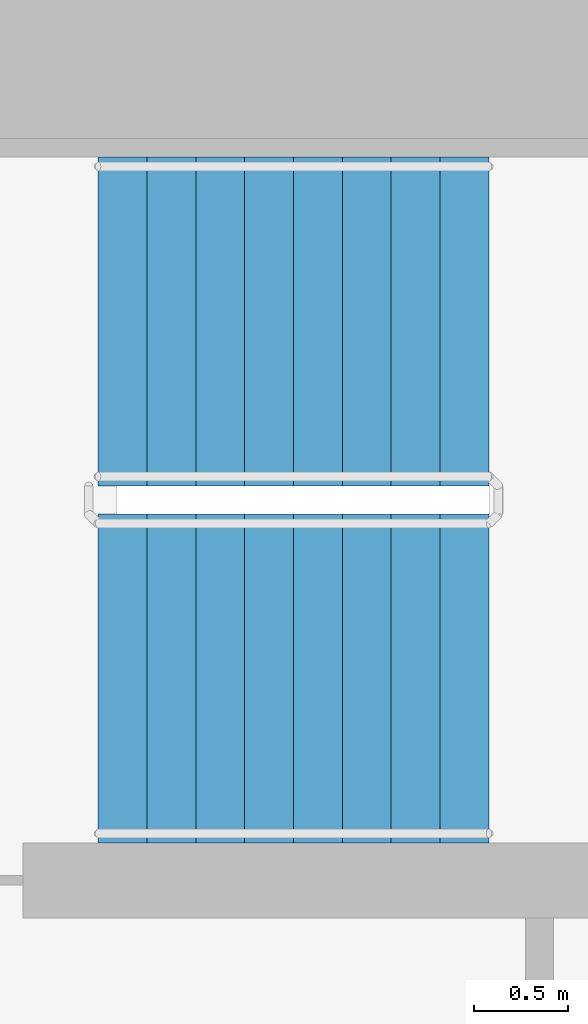
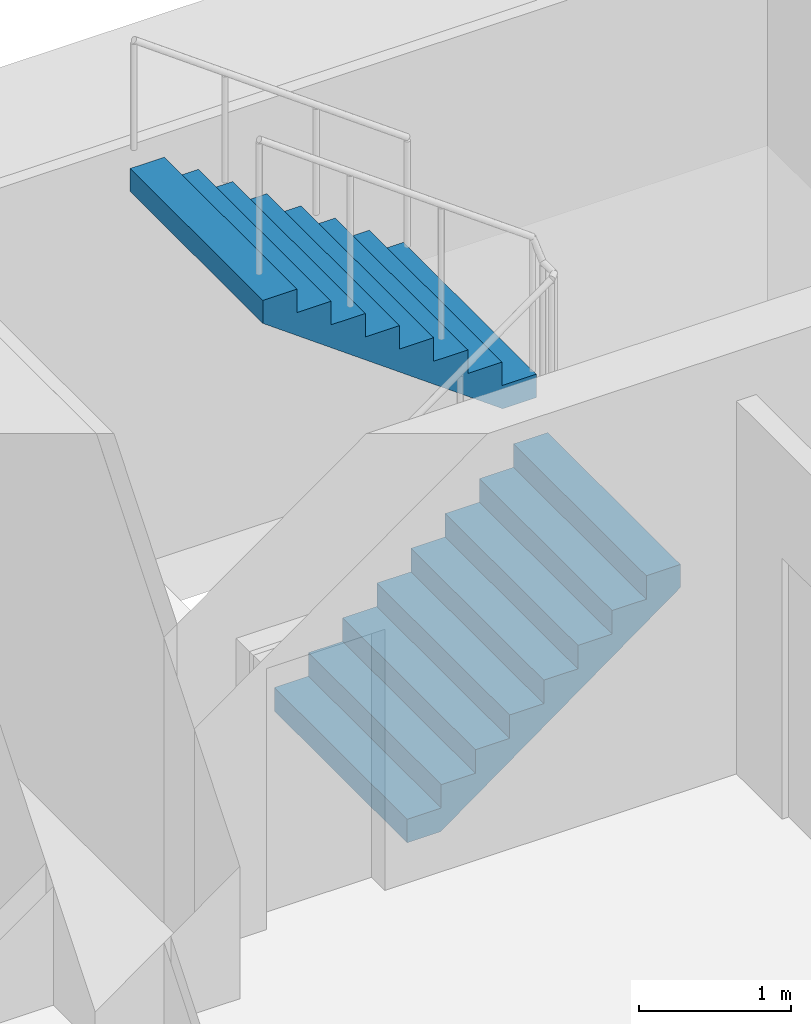
# One storey, part 18 of 22: 2 stair flights, 1 element without a shape of its own.
"""IFC4 building model written with IfcOpenShell, lengths in metres."""

from ifc_helpers import new_model, si_unit, direction, frame, origin, place, context, subcontext, project, spatial, faceted_brep, material, type_object, element, aggregate, save


model = new_model("IFC4")

# Units and contexts
model_context = context("Model", 3, precision=1e-05, world=origin(), true_north=direction((0.0, 1.0)))
body_context = subcontext(model_context, "Body", "Model", "MODEL_VIEW")
ifc_project = project(units=[si_unit("LENGTHUNIT", "METRE"), si_unit("AREAUNIT", "SQUARE_METRE"), si_unit("VOLUMEUNIT", "CUBIC_METRE"), si_unit("PLANEANGLEUNIT", "RADIAN"), si_unit("MASSUNIT", "GRAM", prefix="KILO")], contexts=[model_context])

# Site, building, storey
site_placement = place(None, origin())
site = spatial("IfcSite", under=ifc_project, at=site_placement, CompositionType="ELEMENT")
building_placement = place(site_placement, origin())
building = spatial("IfcBuilding", under=site, at=building_placement, Name="Ipe Terrace Towers", CompositionType="ELEMENT")
storey_placement = place(building_placement, frame((0.0, 0.0, 68.699951171875)))
storey = spatial("IfcBuildingStorey", under=building, at=storey_placement, Name="L18", CompositionType="ELEMENT", Elevation=68.699951171875)

# Stair, stair flights
ifc_material_1 = material(Name="Concrete C30/37", Category="concrete")
stair_type = type_object("IfcStairType", Name="Protected exit stair", PredefinedType="HALF_TURN_STAIR", material=ifc_material_1)
stair_placement = place(storey_placement, origin())
stair = element("IfcStair", 1, at=stair_placement, inside=storey, type_object=stair_type, Name="L18 Exit stair T1-C1", PredefinedType="HALF_TURN_STAIR")
ifc_material_2 = material(Name="Concrete C30/37", Category="concrete")
stair_flight_type = type_object("IfcStairFlightType", Name="Exit stair flight 1750", PredefinedType="STRAIGHT", material=ifc_material_2)
stair_flight_1_placement = place(storey_placement, frame((-26.300048828125, 2.77490234375, 0.0), z_axis=(0.0, 0.0, 1.0), x_axis=(1.0, 0.0, 0.0)))
stair_flight_1 = element("IfcStairFlight", 2, at=stair_flight_1_placement, type_object=stair_flight_type, Name="T1-ST1 flight 1", NumberOfRisers=9, NumberOfTreads=8, PredefinedType="STRAIGHT", RiserHeight=0.188888889, TreadLength=0.26, context=body_context, shape_type="Brep", body=[
    faceted_brep([(0.255126953125, -0.875, 0.0), (2.080078125, -0.875, 1.325927734375), (2.080078125, -0.875, 1.51123046875), (1.820068359375, -0.875, 1.51123046875), (1.820068359375, -0.875, 1.322265625), (1.56005859375, -0.875, 1.322265625), (1.56005859375, -0.875, 1.13330078125), (1.300048828125, -0.875, 1.13330078125), (1.300048828125, -0.875, 0.9443359375), (1.0400390625, -0.875, 0.9443359375), (1.0400390625, -0.875, 0.755615234375), (0.780029296875, -0.875, 0.755615234375), (0.780029296875, -0.875, 0.566650390625), (0.52001953125, -0.875, 0.566650390625), (0.52001953125, -0.875, 0.377685546875), (0.260009765625, -0.875, 0.377685546875), (0.260009765625, -0.875, 0.18896484375), (0.0, -0.875, 0.18896484375), (0.0, -0.875, 0.0), (0.0, 0.875, 0.0), (0.0, 0.875, 0.18896484375), (0.260009765625, 0.875, 0.18896484375), (0.260009765625, 0.875, 0.377685546875), (0.52001953125, 0.875, 0.377685546875), (0.52001953125, 0.875, 0.566650390625), (0.780029296875, 0.875, 0.566650390625), (0.780029296875, 0.875, 0.755615234375), (1.0400390625, 0.875, 0.755615234375), (1.0400390625, 0.875, 0.9443359375), (1.300048828125, 0.875, 0.9443359375), (1.300048828125, 0.875, 1.13330078125), (1.56005859375, 0.875, 1.13330078125), (1.56005859375, 0.875, 1.322265625), (1.820068359375, 0.875, 1.322265625), (1.820068359375, 0.875, 1.51123046875), (2.080078125, 0.875, 1.51123046875), (2.080078125, 0.875, 1.325927734375), (0.255126953125, 0.875, 0.0), (0.0, -0.300048828125, 0.18896484375), (0.0, -0.1201171875, 0.18896484375), (0.0, -0.06005859375, 0.18896484375), (0.0, -0.030029296875, 0.18896484375), (0.0, -0.010009765625, 0.18896484375), (0.0, 0.0, 0.18896484375), (0.0, 0.010009765625, 0.18896484375), (0.0, 0.030029296875, 0.18896484375), (0.0, 0.06005859375, 0.18896484375), (0.0, 0.1201171875, 0.18896484375), (0.0, 0.300048828125, 0.18896484375), (0.0, 0.300048828125, 0.0), (0.0, 0.1201171875, 0.0), (0.0, 0.06005859375, 0.0), (0.0, 0.030029296875, 0.0), (0.0, 0.010009765625, 0.0), (0.0, 0.0, 0.0), (0.0, -0.010009765625, 0.0), (0.0, -0.030029296875, 0.0), (0.0, -0.06005859375, 0.0), (0.0, -0.1201171875, 0.0), (0.0, -0.300048828125, 0.0), (0.260009765625, -0.300048828125, 0.18896484375), (0.260009765625, -0.1201171875, 0.18896484375), (0.260009765625, -0.06005859375, 0.18896484375), (0.260009765625, -0.030029296875, 0.18896484375), (0.260009765625, -0.010009765625, 0.18896484375), (0.260009765625, 0.0, 0.18896484375), (0.260009765625, 0.010009765625, 0.18896484375), (0.260009765625, 0.030029296875, 0.18896484375), (0.260009765625, 0.06005859375, 0.18896484375), (0.260009765625, 0.1201171875, 0.18896484375), (0.260009765625, 0.300048828125, 0.18896484375), (0.260009765625, -0.300048828125, 0.377685546875), (0.260009765625, -0.1201171875, 0.377685546875), (0.260009765625, -0.06005859375, 0.377685546875), (0.260009765625, -0.030029296875, 0.377685546875), (0.260009765625, -0.010009765625, 0.377685546875), (0.260009765625, 0.0, 0.377685546875), (0.260009765625, 0.010009765625, 0.377685546875), (0.260009765625, 0.030029296875, 0.377685546875), (0.260009765625, 0.06005859375, 0.377685546875), (0.260009765625, 0.1201171875, 0.377685546875), (0.260009765625, 0.300048828125, 0.377685546875), (0.52001953125, -0.300048828125, 0.377685546875), (0.52001953125, -0.1201171875, 0.377685546875), (0.52001953125, -0.06005859375, 0.377685546875), (0.52001953125, -0.030029296875, 0.377685546875), (0.52001953125, -0.010009765625, 0.377685546875), (0.52001953125, 0.0, 0.377685546875), (0.52001953125, 0.010009765625, 0.377685546875), (0.52001953125, 0.030029296875, 0.377685546875), (0.52001953125, 0.06005859375, 0.377685546875), (0.52001953125, 0.1201171875, 0.377685546875), (0.52001953125, 0.300048828125, 0.377685546875), (0.52001953125, -0.300048828125, 0.566650390625), (0.52001953125, -0.1201171875, 0.566650390625), (0.52001953125, -0.06005859375, 0.566650390625), (0.52001953125, -0.030029296875, 0.566650390625), (0.52001953125, -0.010009765625, 0.566650390625), (0.52001953125, 0.0, 0.566650390625), (0.52001953125, 0.010009765625, 0.566650390625), (0.52001953125, 0.030029296875, 0.566650390625), (0.52001953125, 0.06005859375, 0.566650390625), (0.52001953125, 0.1201171875, 0.566650390625), (0.52001953125, 0.300048828125, 0.566650390625), (0.780029296875, -0.300048828125, 0.566650390625), (0.780029296875, -0.1201171875, 0.566650390625), (0.780029296875, -0.06005859375, 0.566650390625), (0.780029296875, -0.030029296875, 0.566650390625), (0.780029296875, -0.010009765625, 0.566650390625), (0.780029296875, 0.0, 0.566650390625), (0.780029296875, 0.010009765625, 0.566650390625), (0.780029296875, 0.030029296875, 0.566650390625), (0.780029296875, 0.06005859375, 0.566650390625), (0.780029296875, 0.1201171875, 0.566650390625), (0.780029296875, 0.300048828125, 0.566650390625), (0.780029296875, -0.300048828125, 0.755615234375), (0.780029296875, -0.1201171875, 0.755615234375), (0.780029296875, -0.06005859375, 0.755615234375), (0.780029296875, -0.030029296875, 0.755615234375), (0.780029296875, -0.010009765625, 0.755615234375), (0.780029296875, 0.0, 0.755615234375), (0.780029296875, 0.010009765625, 0.755615234375), (0.780029296875, 0.030029296875, 0.755615234375), (0.780029296875, 0.06005859375, 0.755615234375), (0.780029296875, 0.1201171875, 0.755615234375), (0.780029296875, 0.300048828125, 0.755615234375), (1.0400390625, -0.300048828125, 0.755615234375), (1.0400390625, -0.1201171875, 0.755615234375), (1.0400390625, -0.06005859375, 0.755615234375), (1.0400390625, -0.030029296875, 0.755615234375), (1.0400390625, -0.010009765625, 0.755615234375), (1.0400390625, 0.0, 0.755615234375), (1.0400390625, 0.010009765625, 0.755615234375), (1.0400390625, 0.030029296875, 0.755615234375), (1.0400390625, 0.06005859375, 0.755615234375), (1.0400390625, 0.1201171875, 0.755615234375), (1.0400390625, 0.300048828125, 0.755615234375), (1.0400390625, -0.300048828125, 0.9443359375), (1.0400390625, -0.1201171875, 0.9443359375), (1.0400390625, -0.06005859375, 0.9443359375), (1.0400390625, -0.030029296875, 0.9443359375), (1.0400390625, -0.010009765625, 0.9443359375), (1.0400390625, 0.0, 0.9443359375), (1.0400390625, 0.010009765625, 0.9443359375), (1.0400390625, 0.030029296875, 0.9443359375), (1.0400390625, 0.06005859375, 0.9443359375), (1.0400390625, 0.1201171875, 0.9443359375), (1.0400390625, 0.300048828125, 0.9443359375), (1.300048828125, -0.300048828125, 0.9443359375), (1.300048828125, -0.1201171875, 0.9443359375), (1.300048828125, -0.06005859375, 0.9443359375), (1.300048828125, -0.030029296875, 0.9443359375), (1.300048828125, -0.010009765625, 0.9443359375), (1.300048828125, 0.0, 0.9443359375), (1.300048828125, 0.010009765625, 0.9443359375), (1.300048828125, 0.030029296875, 0.9443359375), (1.300048828125, 0.06005859375, 0.9443359375), (1.300048828125, 0.1201171875, 0.9443359375), (1.300048828125, 0.300048828125, 0.9443359375), (1.300048828125, -0.300048828125, 1.13330078125), (1.300048828125, -0.1201171875, 1.13330078125), (1.300048828125, -0.06005859375, 1.13330078125), (1.300048828125, -0.030029296875, 1.13330078125), (1.300048828125, -0.010009765625, 1.13330078125), (1.300048828125, 0.0, 1.13330078125), (1.300048828125, 0.010009765625, 1.13330078125), (1.300048828125, 0.030029296875, 1.13330078125), (1.300048828125, 0.06005859375, 1.13330078125), (1.300048828125, 0.1201171875, 1.13330078125), (1.300048828125, 0.300048828125, 1.13330078125), (1.56005859375, -0.300048828125, 1.13330078125), (1.56005859375, -0.1201171875, 1.13330078125), (1.56005859375, -0.06005859375, 1.13330078125), (1.56005859375, -0.030029296875, 1.13330078125), (1.56005859375, -0.010009765625, 1.13330078125), (1.56005859375, 0.0, 1.13330078125), (1.56005859375, 0.010009765625, 1.13330078125), (1.56005859375, 0.030029296875, 1.13330078125), (1.56005859375, 0.06005859375, 1.13330078125), (1.56005859375, 0.1201171875, 1.13330078125), (1.56005859375, 0.300048828125, 1.13330078125), (1.56005859375, -0.300048828125, 1.322265625), (1.56005859375, -0.1201171875, 1.322265625), (1.56005859375, -0.06005859375, 1.322265625), (1.56005859375, -0.030029296875, 1.322265625), (1.56005859375, -0.010009765625, 1.322265625), (1.56005859375, 0.0, 1.322265625), (1.56005859375, 0.010009765625, 1.322265625), (1.56005859375, 0.030029296875, 1.322265625), (1.56005859375, 0.06005859375, 1.322265625), (1.56005859375, 0.1201171875, 1.322265625), (1.56005859375, 0.300048828125, 1.322265625), (1.820068359375, -0.300048828125, 1.322265625), (1.820068359375, -0.1201171875, 1.322265625), (1.820068359375, -0.06005859375, 1.322265625), (1.820068359375, -0.030029296875, 1.322265625), (1.820068359375, -0.010009765625, 1.322265625), (1.820068359375, 0.0, 1.322265625), (1.820068359375, 0.010009765625, 1.322265625), (1.820068359375, 0.030029296875, 1.322265625), (1.820068359375, 0.06005859375, 1.322265625), (1.820068359375, 0.1201171875, 1.322265625), (1.820068359375, 0.300048828125, 1.322265625), (1.820068359375, -0.300048828125, 1.51123046875), (1.820068359375, -0.1201171875, 1.51123046875), (1.820068359375, -0.06005859375, 1.51123046875), (1.820068359375, -0.030029296875, 1.51123046875), (1.820068359375, -0.010009765625, 1.51123046875), (1.820068359375, 0.0, 1.51123046875), (1.820068359375, 0.010009765625, 1.51123046875), (1.820068359375, 0.030029296875, 1.51123046875), (1.820068359375, 0.06005859375, 1.51123046875), (1.820068359375, 0.1201171875, 1.51123046875), (1.820068359375, 0.300048828125, 1.51123046875), (2.080078125, -0.300048828125, 1.51123046875), (2.080078125, -0.1201171875, 1.51123046875), (2.080078125, -0.06005859375, 1.51123046875), (2.080078125, -0.030029296875, 1.51123046875), (2.080078125, -0.010009765625, 1.51123046875), (2.080078125, 0.0, 1.51123046875), (2.080078125, 0.010009765625, 1.51123046875), (2.080078125, 0.030029296875, 1.51123046875), (2.080078125, 0.06005859375, 1.51123046875), (2.080078125, 0.1201171875, 1.51123046875), (2.080078125, 0.300048828125, 1.51123046875), (2.080078125, -0.300048828125, 1.325927734375), (2.080078125, -0.1201171875, 1.325927734375), (2.080078125, -0.06005859375, 1.325927734375), (2.080078125, -0.030029296875, 1.325927734375), (2.080078125, -0.010009765625, 1.325927734375), (2.080078125, 0.0, 1.325927734375), (2.080078125, 0.010009765625, 1.325927734375), (2.080078125, 0.030029296875, 1.325927734375), (2.080078125, 0.06005859375, 1.325927734375), (2.080078125, 0.1201171875, 1.325927734375), (2.080078125, 0.300048828125, 1.325927734375), (0.255126953125, -0.300048828125, 0.0), (0.255126953125, -0.1201171875, 0.0), (0.255126953125, -0.06005859375, 0.0), (0.255126953125, -0.030029296875, 0.0), (0.255126953125, -0.010009765625, 0.0), (0.255126953125, 0.0, 0.0), (0.255126953125, 0.010009765625, 0.0), (0.255126953125, 0.030029296875, 0.0), (0.255126953125, 0.06005859375, 0.0), (0.255126953125, 0.1201171875, 0.0), (0.255126953125, 0.300048828125, 0.0)], [[[0, 1, 2, 3, 4, 5, 6, 7, 8, 9, 10, 11, 12, 13, 14, 15, 16, 17, 18]], [[19, 20, 21, 22, 23, 24, 25, 26, 27, 28, 29, 30, 31, 32, 33, 34, 35, 36, 37]], [[17, 38, 39, 40, 41, 42, 43, 44, 45, 46, 47, 48, 20, 19, 49, 50, 51, 52, 53, 54, 55, 56, 57, 58, 59, 18]], [[16, 60, 61, 62, 63, 64, 65, 66, 67, 68, 69, 70, 21, 20, 48, 47, 46, 45, 44, 43, 42, 41, 40, 39, 38, 17]], [[15, 71, 72, 73, 74, 75, 76, 77, 78, 79, 80, 81, 22, 21, 70, 69, 68, 67, 66, 65, 64, 63, 62, 61, 60, 16]], [[14, 82, 83, 84, 85, 86, 87, 88, 89, 90, 91, 92, 23, 22, 81, 80, 79, 78, 77, 76, 75, 74, 73, 72, 71, 15]], [[13, 93, 94, 95, 96, 97, 98, 99, 100, 101, 102, 103, 24, 23, 92, 91, 90, 89, 88, 87, 86, 85, 84, 83, 82, 14]], [[12, 104, 105, 106, 107, 108, 109, 110, 111, 112, 113, 114, 25, 24, 103, 102, 101, 100, 99, 98, 97, 96, 95, 94, 93, 13]], [[11, 115, 116, 117, 118, 119, 120, 121, 122, 123, 124, 125, 26, 25, 114, 113, 112, 111, 110, 109, 108, 107, 106, 105, 104, 12]], [[10, 126, 127, 128, 129, 130, 131, 132, 133, 134, 135, 136, 27, 26, 125, 124, 123, 122, 121, 120, 119, 118, 117, 116, 115, 11]], [[9, 137, 138, 139, 140, 141, 142, 143, 144, 145, 146, 147, 28, 27, 136, 135, 134, 133, 132, 131, 130, 129, 128, 127, 126, 10]], [[8, 148, 149, 150, 151, 152, 153, 154, 155, 156, 157, 158, 29, 28, 147, 146, 145, 144, 143, 142, 141, 140, 139, 138, 137, 9]], [[7, 159, 160, 161, 162, 163, 164, 165, 166, 167, 168, 169, 30, 29, 158, 157, 156, 155, 154, 153, 152, 151, 150, 149, 148, 8]], [[6, 170, 171, 172, 173, 174, 175, 176, 177, 178, 179, 180, 31, 30, 169, 168, 167, 166, 165, 164, 163, 162, 161, 160, 159, 7]], [[5, 181, 182, 183, 184, 185, 186, 187, 188, 189, 190, 191, 32, 31, 180, 179, 178, 177, 176, 175, 174, 173, 172, 171, 170, 6]], [[4, 192, 193, 194, 195, 196, 197, 198, 199, 200, 201, 202, 33, 32, 191, 190, 189, 188, 187, 186, 185, 184, 183, 182, 181, 5]], [[3, 203, 204, 205, 206, 207, 208, 209, 210, 211, 212, 213, 34, 33, 202, 201, 200, 199, 198, 197, 196, 195, 194, 193, 192, 4]], [[2, 214, 215, 216, 217, 218, 219, 220, 221, 222, 223, 224, 35, 34, 213, 212, 211, 210, 209, 208, 207, 206, 205, 204, 203, 3]], [[1, 225, 226, 227, 228, 229, 230, 231, 232, 233, 234, 235, 36, 35, 224, 223, 222, 221, 220, 219, 218, 217, 216, 215, 214, 2]], [[0, 236, 237, 238, 239, 240, 241, 242, 243, 244, 245, 246, 37, 36, 235, 234, 233, 232, 231, 230, 229, 228, 227, 226, 225, 1]], [[18, 59, 58, 57, 56, 55, 54, 53, 52, 51, 50, 49, 19, 37, 246, 245, 244, 243, 242, 241, 240, 239, 238, 237, 236, 0]]]),
])
stair_flight_2_placement = place(storey_placement, frame((-24.219970703125, 4.675048828125, 1.699951171875), z_axis=(0.0, 0.0, 1.0), x_axis=(-1.0, 0.0, 0.0)))
stair_flight_2 = element("IfcStairFlight", 3, at=stair_flight_2_placement, type_object=stair_flight_type, Name="T1-ST1 flight 2", NumberOfRisers=9, NumberOfTreads=8, PredefinedType="STRAIGHT", RiserHeight=0.188888889, TreadLength=0.26, context=body_context, shape_type="Brep", body=[
    faceted_brep([(0.255126953125, -0.875, 0.0), (2.080078125, -0.875, 1.325927734375), (2.080078125, -0.875, 1.51123046875), (1.820068359375, -0.875, 1.51123046875), (1.820068359375, -0.875, 1.322265625), (1.56005859375, -0.875, 1.322265625), (1.56005859375, -0.875, 1.13330078125), (1.300048828125, -0.875, 1.13330078125), (1.300048828125, -0.875, 0.9443359375), (1.0400390625, -0.875, 0.9443359375), (1.0400390625, -0.875, 0.755615234375), (0.780029296875, -0.875, 0.755615234375), (0.780029296875, -0.875, 0.566650390625), (0.52001953125, -0.875, 0.566650390625), (0.52001953125, -0.875, 0.377685546875), (0.260009765625, -0.875, 0.377685546875), (0.260009765625, -0.875, 0.18896484375), (0.0, -0.875, 0.18896484375), (0.0, -0.875, 0.0), (0.0, 0.875, 0.0), (0.0, 0.875, 0.18896484375), (0.260009765625, 0.875, 0.18896484375), (0.260009765625, 0.875, 0.377685546875), (0.52001953125, 0.875, 0.377685546875), (0.52001953125, 0.875, 0.566650390625), (0.780029296875, 0.875, 0.566650390625), (0.780029296875, 0.875, 0.755615234375), (1.0400390625, 0.875, 0.755615234375), (1.0400390625, 0.875, 0.9443359375), (1.300048828125, 0.875, 0.9443359375), (1.300048828125, 0.875, 1.13330078125), (1.56005859375, 0.875, 1.13330078125), (1.56005859375, 0.875, 1.322265625), (1.820068359375, 0.875, 1.322265625), (1.820068359375, 0.875, 1.51123046875), (2.080078125, 0.875, 1.51123046875), (2.080078125, 0.875, 1.325927734375), (0.255126953125, 0.875, 0.0), (0.0, -0.300048828125, 0.18896484375), (0.0, -0.1201171875, 0.18896484375), (0.0, -0.06005859375, 0.18896484375), (0.0, -0.030029296875, 0.18896484375), (0.0, -0.010009765625, 0.18896484375), (0.0, 0.0, 0.18896484375), (0.0, 0.010009765625, 0.18896484375), (0.0, 0.030029296875, 0.18896484375), (0.0, 0.06005859375, 0.18896484375), (0.0, 0.1201171875, 0.18896484375), (0.0, 0.300048828125, 0.18896484375), (0.0, 0.300048828125, 0.0), (0.0, 0.1201171875, 0.0), (0.0, 0.06005859375, 0.0), (0.0, 0.030029296875, 0.0), (0.0, 0.010009765625, 0.0), (0.0, 0.0, 0.0), (0.0, -0.010009765625, 0.0), (0.0, -0.030029296875, 0.0), (0.0, -0.06005859375, 0.0), (0.0, -0.1201171875, 0.0), (0.0, -0.300048828125, 0.0), (0.260009765625, -0.300048828125, 0.18896484375), (0.260009765625, -0.1201171875, 0.18896484375), (0.260009765625, -0.06005859375, 0.18896484375), (0.260009765625, -0.030029296875, 0.18896484375), (0.260009765625, -0.010009765625, 0.18896484375), (0.260009765625, 0.0, 0.18896484375), (0.260009765625, 0.010009765625, 0.18896484375), (0.260009765625, 0.030029296875, 0.18896484375), (0.260009765625, 0.06005859375, 0.18896484375), (0.260009765625, 0.1201171875, 0.18896484375), (0.260009765625, 0.300048828125, 0.18896484375), (0.260009765625, -0.300048828125, 0.377685546875), (0.260009765625, -0.1201171875, 0.377685546875), (0.260009765625, -0.06005859375, 0.377685546875), (0.260009765625, -0.030029296875, 0.377685546875), (0.260009765625, -0.010009765625, 0.377685546875), (0.260009765625, 0.0, 0.377685546875), (0.260009765625, 0.010009765625, 0.377685546875), (0.260009765625, 0.030029296875, 0.377685546875), (0.260009765625, 0.06005859375, 0.377685546875), (0.260009765625, 0.1201171875, 0.377685546875), (0.260009765625, 0.300048828125, 0.377685546875), (0.52001953125, -0.300048828125, 0.377685546875), (0.52001953125, -0.1201171875, 0.377685546875), (0.52001953125, -0.06005859375, 0.377685546875), (0.52001953125, -0.030029296875, 0.377685546875), (0.52001953125, -0.010009765625, 0.377685546875), (0.52001953125, 0.0, 0.377685546875), (0.52001953125, 0.010009765625, 0.377685546875), (0.52001953125, 0.030029296875, 0.377685546875), (0.52001953125, 0.06005859375, 0.377685546875), (0.52001953125, 0.1201171875, 0.377685546875), (0.52001953125, 0.300048828125, 0.377685546875), (0.52001953125, -0.300048828125, 0.566650390625), (0.52001953125, -0.1201171875, 0.566650390625), (0.52001953125, -0.06005859375, 0.566650390625), (0.52001953125, -0.030029296875, 0.566650390625), (0.52001953125, -0.010009765625, 0.566650390625), (0.52001953125, 0.0, 0.566650390625), (0.52001953125, 0.010009765625, 0.566650390625), (0.52001953125, 0.030029296875, 0.566650390625), (0.52001953125, 0.06005859375, 0.566650390625), (0.52001953125, 0.1201171875, 0.566650390625), (0.52001953125, 0.300048828125, 0.566650390625), (0.780029296875, -0.300048828125, 0.566650390625), (0.780029296875, -0.1201171875, 0.566650390625), (0.780029296875, -0.06005859375, 0.566650390625), (0.780029296875, -0.030029296875, 0.566650390625), (0.780029296875, -0.010009765625, 0.566650390625), (0.780029296875, 0.0, 0.566650390625), (0.780029296875, 0.010009765625, 0.566650390625), (0.780029296875, 0.030029296875, 0.566650390625), (0.780029296875, 0.06005859375, 0.566650390625), (0.780029296875, 0.1201171875, 0.566650390625), (0.780029296875, 0.300048828125, 0.566650390625), (0.780029296875, -0.300048828125, 0.755615234375), (0.780029296875, -0.1201171875, 0.755615234375), (0.780029296875, -0.06005859375, 0.755615234375), (0.780029296875, -0.030029296875, 0.755615234375), (0.780029296875, -0.010009765625, 0.755615234375), (0.780029296875, 0.0, 0.755615234375), (0.780029296875, 0.010009765625, 0.755615234375), (0.780029296875, 0.030029296875, 0.755615234375), (0.780029296875, 0.06005859375, 0.755615234375), (0.780029296875, 0.1201171875, 0.755615234375), (0.780029296875, 0.300048828125, 0.755615234375), (1.0400390625, -0.300048828125, 0.755615234375), (1.0400390625, -0.1201171875, 0.755615234375), (1.0400390625, -0.06005859375, 0.755615234375), (1.0400390625, -0.030029296875, 0.755615234375), (1.0400390625, -0.010009765625, 0.755615234375), (1.0400390625, 0.0, 0.755615234375), (1.0400390625, 0.010009765625, 0.755615234375), (1.0400390625, 0.030029296875, 0.755615234375), (1.0400390625, 0.06005859375, 0.755615234375), (1.0400390625, 0.1201171875, 0.755615234375), (1.0400390625, 0.300048828125, 0.755615234375), (1.0400390625, -0.300048828125, 0.9443359375), (1.0400390625, -0.1201171875, 0.9443359375), (1.0400390625, -0.06005859375, 0.9443359375), (1.0400390625, -0.030029296875, 0.9443359375), (1.0400390625, -0.010009765625, 0.9443359375), (1.0400390625, 0.0, 0.9443359375), (1.0400390625, 0.010009765625, 0.9443359375), (1.0400390625, 0.030029296875, 0.9443359375), (1.0400390625, 0.06005859375, 0.9443359375), (1.0400390625, 0.1201171875, 0.9443359375), (1.0400390625, 0.300048828125, 0.9443359375), (1.300048828125, -0.300048828125, 0.9443359375), (1.300048828125, -0.1201171875, 0.9443359375), (1.300048828125, -0.06005859375, 0.9443359375), (1.300048828125, -0.030029296875, 0.9443359375), (1.300048828125, -0.010009765625, 0.9443359375), (1.300048828125, 0.0, 0.9443359375), (1.300048828125, 0.010009765625, 0.9443359375), (1.300048828125, 0.030029296875, 0.9443359375), (1.300048828125, 0.06005859375, 0.9443359375), (1.300048828125, 0.1201171875, 0.9443359375), (1.300048828125, 0.300048828125, 0.9443359375), (1.300048828125, -0.300048828125, 1.13330078125), (1.300048828125, -0.1201171875, 1.13330078125), (1.300048828125, -0.06005859375, 1.13330078125), (1.300048828125, -0.030029296875, 1.13330078125), (1.300048828125, -0.010009765625, 1.13330078125), (1.300048828125, 0.0, 1.13330078125), (1.300048828125, 0.010009765625, 1.13330078125), (1.300048828125, 0.030029296875, 1.13330078125), (1.300048828125, 0.06005859375, 1.13330078125), (1.300048828125, 0.1201171875, 1.13330078125), (1.300048828125, 0.300048828125, 1.13330078125), (1.56005859375, -0.300048828125, 1.13330078125), (1.56005859375, -0.1201171875, 1.13330078125), (1.56005859375, -0.06005859375, 1.13330078125), (1.56005859375, -0.030029296875, 1.13330078125), (1.56005859375, -0.010009765625, 1.13330078125), (1.56005859375, 0.0, 1.13330078125), (1.56005859375, 0.010009765625, 1.13330078125), (1.56005859375, 0.030029296875, 1.13330078125), (1.56005859375, 0.06005859375, 1.13330078125), (1.56005859375, 0.1201171875, 1.13330078125), (1.56005859375, 0.300048828125, 1.13330078125), (1.56005859375, -0.300048828125, 1.322265625), (1.56005859375, -0.1201171875, 1.322265625), (1.56005859375, -0.06005859375, 1.322265625), (1.56005859375, -0.030029296875, 1.322265625), (1.56005859375, -0.010009765625, 1.322265625), (1.56005859375, 0.0, 1.322265625), (1.56005859375, 0.010009765625, 1.322265625), (1.56005859375, 0.030029296875, 1.322265625), (1.56005859375, 0.06005859375, 1.322265625), (1.56005859375, 0.1201171875, 1.322265625), (1.56005859375, 0.300048828125, 1.322265625), (1.820068359375, -0.300048828125, 1.322265625), (1.820068359375, -0.1201171875, 1.322265625), (1.820068359375, -0.06005859375, 1.322265625), (1.820068359375, -0.030029296875, 1.322265625), (1.820068359375, -0.010009765625, 1.322265625), (1.820068359375, 0.0, 1.322265625), (1.820068359375, 0.010009765625, 1.322265625), (1.820068359375, 0.030029296875, 1.322265625), (1.820068359375, 0.06005859375, 1.322265625), (1.820068359375, 0.1201171875, 1.322265625), (1.820068359375, 0.300048828125, 1.322265625), (1.820068359375, -0.300048828125, 1.51123046875), (1.820068359375, -0.1201171875, 1.51123046875), (1.820068359375, -0.06005859375, 1.51123046875), (1.820068359375, -0.030029296875, 1.51123046875), (1.820068359375, -0.010009765625, 1.51123046875), (1.820068359375, 0.0, 1.51123046875), (1.820068359375, 0.010009765625, 1.51123046875), (1.820068359375, 0.030029296875, 1.51123046875), (1.820068359375, 0.06005859375, 1.51123046875), (1.820068359375, 0.1201171875, 1.51123046875), (1.820068359375, 0.300048828125, 1.51123046875), (2.080078125, -0.300048828125, 1.51123046875), (2.080078125, -0.1201171875, 1.51123046875), (2.080078125, -0.06005859375, 1.51123046875), (2.080078125, -0.030029296875, 1.51123046875), (2.080078125, -0.010009765625, 1.51123046875), (2.080078125, 0.0, 1.51123046875), (2.080078125, 0.010009765625, 1.51123046875), (2.080078125, 0.030029296875, 1.51123046875), (2.080078125, 0.06005859375, 1.51123046875), (2.080078125, 0.1201171875, 1.51123046875), (2.080078125, 0.300048828125, 1.51123046875), (2.080078125, -0.300048828125, 1.325927734375), (2.080078125, -0.1201171875, 1.325927734375), (2.080078125, -0.06005859375, 1.325927734375), (2.080078125, -0.030029296875, 1.325927734375), (2.080078125, -0.010009765625, 1.325927734375), (2.080078125, 0.0, 1.325927734375), (2.080078125, 0.010009765625, 1.325927734375), (2.080078125, 0.030029296875, 1.325927734375), (2.080078125, 0.06005859375, 1.325927734375), (2.080078125, 0.1201171875, 1.325927734375), (2.080078125, 0.300048828125, 1.325927734375), (0.255126953125, -0.300048828125, 0.0), (0.255126953125, -0.1201171875, 0.0), (0.255126953125, -0.06005859375, 0.0), (0.255126953125, -0.030029296875, 0.0), (0.255126953125, -0.010009765625, 0.0), (0.255126953125, 0.0, 0.0), (0.255126953125, 0.010009765625, 0.0), (0.255126953125, 0.030029296875, 0.0), (0.255126953125, 0.06005859375, 0.0), (0.255126953125, 0.1201171875, 0.0), (0.255126953125, 0.300048828125, 0.0)], [[[0, 1, 2, 3, 4, 5, 6, 7, 8, 9, 10, 11, 12, 13, 14, 15, 16, 17, 18]], [[19, 20, 21, 22, 23, 24, 25, 26, 27, 28, 29, 30, 31, 32, 33, 34, 35, 36, 37]], [[17, 38, 39, 40, 41, 42, 43, 44, 45, 46, 47, 48, 20, 19, 49, 50, 51, 52, 53, 54, 55, 56, 57, 58, 59, 18]], [[16, 60, 61, 62, 63, 64, 65, 66, 67, 68, 69, 70, 21, 20, 48, 47, 46, 45, 44, 43, 42, 41, 40, 39, 38, 17]], [[15, 71, 72, 73, 74, 75, 76, 77, 78, 79, 80, 81, 22, 21, 70, 69, 68, 67, 66, 65, 64, 63, 62, 61, 60, 16]], [[14, 82, 83, 84, 85, 86, 87, 88, 89, 90, 91, 92, 23, 22, 81, 80, 79, 78, 77, 76, 75, 74, 73, 72, 71, 15]], [[13, 93, 94, 95, 96, 97, 98, 99, 100, 101, 102, 103, 24, 23, 92, 91, 90, 89, 88, 87, 86, 85, 84, 83, 82, 14]], [[12, 104, 105, 106, 107, 108, 109, 110, 111, 112, 113, 114, 25, 24, 103, 102, 101, 100, 99, 98, 97, 96, 95, 94, 93, 13]], [[11, 115, 116, 117, 118, 119, 120, 121, 122, 123, 124, 125, 26, 25, 114, 113, 112, 111, 110, 109, 108, 107, 106, 105, 104, 12]], [[10, 126, 127, 128, 129, 130, 131, 132, 133, 134, 135, 136, 27, 26, 125, 124, 123, 122, 121, 120, 119, 118, 117, 116, 115, 11]], [[9, 137, 138, 139, 140, 141, 142, 143, 144, 145, 146, 147, 28, 27, 136, 135, 134, 133, 132, 131, 130, 129, 128, 127, 126, 10]], [[8, 148, 149, 150, 151, 152, 153, 154, 155, 156, 157, 158, 29, 28, 147, 146, 145, 144, 143, 142, 141, 140, 139, 138, 137, 9]], [[7, 159, 160, 161, 162, 163, 164, 165, 166, 167, 168, 169, 30, 29, 158, 157, 156, 155, 154, 153, 152, 151, 150, 149, 148, 8]], [[6, 170, 171, 172, 173, 174, 175, 176, 177, 178, 179, 180, 31, 30, 169, 168, 167, 166, 165, 164, 163, 162, 161, 160, 159, 7]], [[5, 181, 182, 183, 184, 185, 186, 187, 188, 189, 190, 191, 32, 31, 180, 179, 178, 177, 176, 175, 174, 173, 172, 171, 170, 6]], [[4, 192, 193, 194, 195, 196, 197, 198, 199, 200, 201, 202, 33, 32, 191, 190, 189, 188, 187, 186, 185, 184, 183, 182, 181, 5]], [[3, 203, 204, 205, 206, 207, 208, 209, 210, 211, 212, 213, 34, 33, 202, 201, 200, 199, 198, 197, 196, 195, 194, 193, 192, 4]], [[2, 214, 215, 216, 217, 218, 219, 220, 221, 222, 223, 224, 35, 34, 213, 212, 211, 210, 209, 208, 207, 206, 205, 204, 203, 3]], [[1, 225, 226, 227, 228, 229, 230, 231, 232, 233, 234, 235, 36, 35, 224, 223, 222, 221, 220, 219, 218, 217, 216, 215, 214, 2]], [[0, 236, 237, 238, 239, 240, 241, 242, 243, 244, 245, 246, 37, 36, 235, 234, 233, 232, 231, 230, 229, 228, 227, 226, 225, 1]], [[18, 59, 58, 57, 56, 55, 54, 53, 52, 51, 50, 49, 19, 37, 246, 245, 244, 243, 242, 241, 240, 239, 238, 237, 236, 0]]]),
])
aggregate(stair, [stair_flight_1, stair_flight_2])

save(model, "model.ifc")
